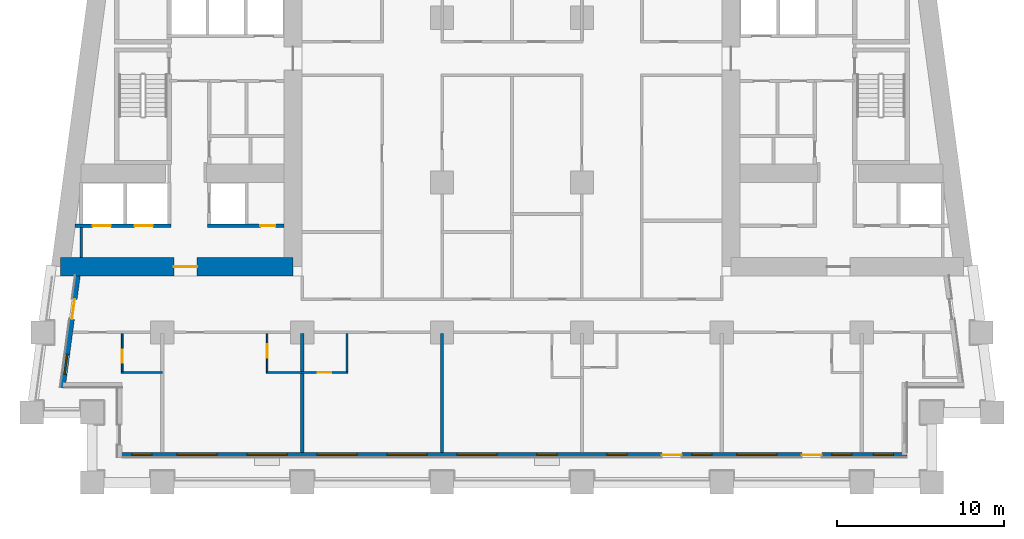
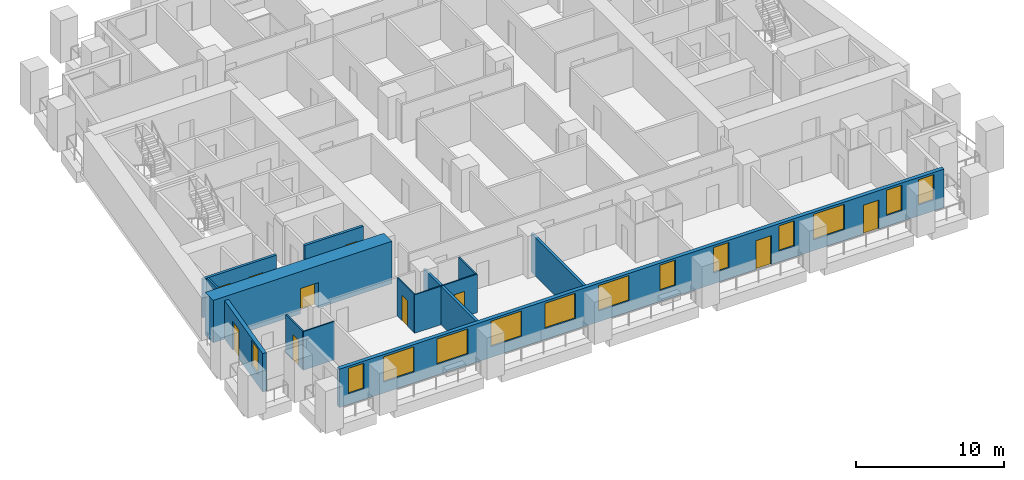
# One storey, part 2 of 13: 13 walls, 13 windows, 10 doors, 23 openings.
"""IFC4 building model written with IfcOpenShell, lengths in metres."""

from ifc_helpers import new_model, si_unit, direction, frame, frame_2d, origin, place, context, subcontext, project, spatial, rectangle, extrude, material, layer, layer_set, type_object, element, fill, save


model = new_model("IFC4")

# Units and contexts
model_context = context("Model", 3, precision=1e-05, world=origin(), true_north=direction((0.0, 1.0)))
body_context = subcontext(model_context, "Body", "Model", "MODEL_VIEW")
ifc_project = project(units=[si_unit("LENGTHUNIT", "METRE"), si_unit("AREAUNIT", "SQUARE_METRE"), si_unit("VOLUMEUNIT", "CUBIC_METRE"), si_unit("PLANEANGLEUNIT", "RADIAN"), si_unit("MASSUNIT", "GRAM", prefix="KILO")], contexts=[model_context])

# Site, building, storey
site_placement = place(None, origin())
site = spatial("IfcSite", under=ifc_project, at=site_placement, CompositionType="ELEMENT")
building_placement = place(site_placement, origin())
building = spatial("IfcBuilding", under=site, at=building_placement, Name="Candeia Pilgrim Tower and Theatre", CompositionType="ELEMENT")
storey_placement = place(building_placement, frame((0.0, 0.0, 63.5)))
storey = spatial("IfcBuildingStorey", under=building, at=storey_placement, Name="L13", CompositionType="ELEMENT", Elevation=63.5)

# Wall, opening, door
ifc_material_1 = material(Name="Concrete C80/95", Category="concrete")
ifc_layer_1 = layer(ifc_material_1, 1.10009765625)
ifc_layer_set_1 = layer_set([ifc_layer_1], Name="Core wall 1100 C80/95")
wall_type_1 = type_object("IfcWallType", Name="Core wall 1100 C80/95", PredefinedType="SHEAR", material=ifc_layer_set_1)
wall_1_placement = place(storey_placement, frame((100.25, 110.949951171875, 0.0), z_axis=(0.0, 0.0, 1.0), x_axis=(-1.0, 0.0, 0.0)))
wall_1 = element("IfcWall", 1, at=wall_1_placement, inside=storey, type_object=wall_type_1, Name="Core wall W3", PredefinedType="SHEAR", context=body_context, shape_type="SweptSolid", body=[
    extrude(rectangle(XDim=13.95166015625, YDim=1.10009765625, at=frame_2d((6.975830078125, 0.0))), origin(), (0.0, 0.0, 1.0), 3.5),
])
opening_1_placement = place(wall_1_placement, frame((5.74755859375, 0.0, 0.0)))
opening_1 = element("IfcOpeningElement", 2, at=opening_1_placement, cuts=wall_1, Name="Opening L13-D059", PredefinedType="OPENING", context=body_context, shape_type="SweptSolid", body=[
    extrude(rectangle(XDim=1.39990234375, YDim=2.10009765625, at=frame_2d((0.699951171875, 1.050048828125))), frame((0.0, 0.56005859375, 0.0), z_axis=(0.0, -1.0, 0.0), x_axis=(1.0, 0.0, 0.0)), (0.0, 0.0, 1.0), 1.1201171875),
])
ifc_material_2 = material(Name="Steel fire door set", Category="steel")
door_type_1 = type_object("IfcDoorType", Name="D-1400-FD60", OperationType="NOTDEFINED", PredefinedType="DOOR", material=ifc_material_2)
door_1_placement = place(opening_1_placement, origin())
door_1 = element("IfcDoor", 3, at=door_1_placement, inside=storey, type_object=door_type_1, Name="Door L13-D059", OperationType="SINGLE_SWING_RIGHT", OverallHeight=2.10009765625, OverallWidth=1.39990234375, PredefinedType="DOOR", context=body_context, shape_type="SweptSolid", body=[
    extrude(rectangle(XDim=1.39990234375, YDim=2.10009765625, at=frame_2d((0.699951171875, 1.050048828125))), frame((0.0, 0.02490234375, 0.0), z_axis=(0.0, -1.0, 0.0), x_axis=(1.0, 0.0, 0.0)), (0.0, 0.0, 1.0), 0.050048828125),
])
fill(opening_1, door_1)

# Wall, openings, doors, windows
ifc_material_3 = material(Name="Ceramic block masonry", Category="masonry")
ifc_layer_2 = layer(ifc_material_3, 0.300048828125)
ifc_layer_set_2 = layer_set([ifc_layer_2], Name="EW1 glazing-line wall 300")
wall_type_2 = type_object("IfcWallType", Name="EW1 glazing-line wall 300", PredefinedType="SOLIDWALL", material=ifc_layer_set_2)
wall_2_placement = place(storey_placement, frame((89.85009765625, 99.64990234375, 0.0), z_axis=(0.0, 0.0, 1.0), x_axis=(1.0, 0.0, 0.0)))
wall_2 = element("IfcWall", 4, at=wall_2_placement, inside=storey, type_object=wall_type_2, Name="External wall L13-0.0", PredefinedType="SOLIDWALL", context=body_context, shape_type="SweptSolid", body=[
    extrude(rectangle(XDim=47.25, YDim=0.300048828125, at=frame_2d((23.625, 0.0))), origin(), (0.0, 0.0, 1.0), 3.179931640625),
])
opening_2_placement = place(wall_2_placement, frame((0.72509765625, 0.0, 0.89990234375)))
opening_2 = element("IfcOpeningElement", 5, at=opening_2_placement, cuts=wall_2, Name="Opening W-B", PredefinedType="OPENING", context=body_context, shape_type="SweptSolid", body=[
    extrude(rectangle(XDim=1.199951171875, YDim=2.10009765625, at=frame_2d((0.60009765625, 1.050048828125))), frame((0.0, 0.16015625, 0.0), z_axis=(0.0, -1.0, 0.0), x_axis=(1.0, 0.0, 0.0)), (0.0, 0.0, 1.0), 0.320068359375),
])
opening_3_placement = place(wall_2_placement, frame((3.449951171875, 0.0, 0.89990234375)))
opening_3 = element("IfcOpeningElement", 6, at=opening_3_placement, cuts=wall_2, Name="Opening W-A", PredefinedType="OPENING", context=body_context, shape_type="SweptSolid", body=[
    extrude(rectangle(XDim=2.39990234375, YDim=2.10009765625, at=frame_2d((1.199951171875, 1.050048828125))), frame((0.0, 0.16015625, 0.0), z_axis=(0.0, -1.0, 0.0), x_axis=(1.0, 0.0, 0.0)), (0.0, 0.0, 1.0), 0.320068359375),
])
opening_4_placement = place(wall_2_placement, frame((7.64990234375, 0.0, 0.89990234375)))
opening_4 = element("IfcOpeningElement", 7, at=opening_4_placement, cuts=wall_2, Name="Opening W-A", PredefinedType="OPENING", context=body_context, shape_type="SweptSolid", body=[
    extrude(rectangle(XDim=2.39990234375, YDim=2.10009765625, at=frame_2d((1.199951171875, 1.050048828125))), frame((0.0, 0.16015625, 0.0), z_axis=(0.0, -1.0, 0.0), x_axis=(1.0, 0.0, 0.0)), (0.0, 0.0, 1.0), 0.320068359375),
])
opening_5_placement = place(wall_2_placement, frame((11.85009765625, 0.0, 0.89990234375)))
opening_5 = element("IfcOpeningElement", 8, at=opening_5_placement, cuts=wall_2, Name="Opening W-A", PredefinedType="OPENING", context=body_context, shape_type="SweptSolid", body=[
    extrude(rectangle(XDim=2.39990234375, YDim=2.10009765625, at=frame_2d((1.199951171875, 1.050048828125))), frame((0.0, 0.16015625, 0.0), z_axis=(0.0, -1.0, 0.0), x_axis=(1.0, 0.0, 0.0)), (0.0, 0.0, 1.0), 0.320068359375),
])
opening_6_placement = place(wall_2_placement, frame((16.050048828125, 0.0, 0.89990234375)))
opening_6 = element("IfcOpeningElement", 9, at=opening_6_placement, cuts=wall_2, Name="Opening W-A", PredefinedType="OPENING", context=body_context, shape_type="SweptSolid", body=[
    extrude(rectangle(XDim=2.39990234375, YDim=2.10009765625, at=frame_2d((1.199951171875, 1.050048828125))), frame((0.0, 0.16015625, 0.0), z_axis=(0.0, -1.0, 0.0), x_axis=(1.0, 0.0, 0.0)), (0.0, 0.0, 1.0), 0.320068359375),
])
opening_7_placement = place(wall_2_placement, frame((20.25, 0.0, 0.89990234375)))
opening_7 = element("IfcOpeningElement", 10, at=opening_7_placement, cuts=wall_2, Name="Opening W-A", PredefinedType="OPENING", context=body_context, shape_type="SweptSolid", body=[
    extrude(rectangle(XDim=2.39990234375, YDim=2.10009765625, at=frame_2d((1.199951171875, 1.050048828125))), frame((0.0, 0.16015625, 0.0), z_axis=(0.0, -1.0, 0.0), x_axis=(1.0, 0.0, 0.0)), (0.0, 0.0, 1.0), 0.320068359375),
])
opening_8_placement = place(wall_2_placement, frame((25.050048828125, 0.0, 0.89990234375)))
opening_8 = element("IfcOpeningElement", 11, at=opening_8_placement, cuts=wall_2, Name="Opening W-B", PredefinedType="OPENING", context=body_context, shape_type="SweptSolid", body=[
    extrude(rectangle(XDim=1.199951171875, YDim=2.10009765625, at=frame_2d((0.60009765625, 1.050048828125))), frame((0.0, 0.16015625, 0.0), z_axis=(0.0, -1.0, 0.0), x_axis=(1.0, 0.0, 0.0)), (0.0, 0.0, 1.0), 0.320068359375),
])
opening_9_placement = place(wall_2_placement, frame((29.25, 0.0, 0.89990234375)))
opening_9 = element("IfcOpeningElement", 12, at=opening_9_placement, cuts=wall_2, Name="Opening W-B", PredefinedType="OPENING", context=body_context, shape_type="SweptSolid", body=[
    extrude(rectangle(XDim=1.199951171875, YDim=2.10009765625, at=frame_2d((0.60009765625, 1.050048828125))), frame((0.0, 0.16015625, 0.0), z_axis=(0.0, -1.0, 0.0), x_axis=(1.0, 0.0, 0.0)), (0.0, 0.0, 1.0), 0.320068359375),
])
opening_10_placement = place(wall_2_placement, frame((32.550048828125, 0.0, 0.0)))
opening_10 = element("IfcOpeningElement", 13, at=opening_10_placement, cuts=wall_2, Name="Opening L13-ED147", PredefinedType="OPENING", context=body_context, shape_type="SweptSolid", body=[
    extrude(rectangle(XDim=1.199951171875, YDim=2.39990234375, at=frame_2d((0.60009765625, 1.199951171875))), frame((0.0, 0.16015625, 0.0), z_axis=(0.0, -1.0, 0.0), x_axis=(1.0, 0.0, 0.0)), (0.0, 0.0, 1.0), 0.320068359375),
])
opening_11_placement = place(wall_2_placement, frame((34.35009765625, 0.0, 0.89990234375)))
opening_11 = element("IfcOpeningElement", 14, at=opening_11_placement, cuts=wall_2, Name="Opening W-B", PredefinedType="OPENING", context=body_context, shape_type="SweptSolid", body=[
    extrude(rectangle(XDim=1.199951171875, YDim=2.10009765625, at=frame_2d((0.60009765625, 1.050048828125))), frame((0.0, 0.16015625, 0.0), z_axis=(0.0, -1.0, 0.0), x_axis=(1.0, 0.0, 0.0)), (0.0, 0.0, 1.0), 0.320068359375),
])
opening_12_placement = place(wall_2_placement, frame((37.050048828125, 0.0, 0.89990234375)))
opening_12 = element("IfcOpeningElement", 15, at=opening_12_placement, cuts=wall_2, Name="Opening W-A", PredefinedType="OPENING", context=body_context, shape_type="SweptSolid", body=[
    extrude(rectangle(XDim=2.39990234375, YDim=2.10009765625, at=frame_2d((1.199951171875, 1.050048828125))), frame((0.0, 0.16015625, 0.0), z_axis=(0.0, -1.0, 0.0), x_axis=(1.0, 0.0, 0.0)), (0.0, 0.0, 1.0), 0.320068359375),
])
opening_13_placement = place(wall_2_placement, frame((40.949951171875, 0.0, 0.0)))
opening_13 = element("IfcOpeningElement", 16, at=opening_13_placement, cuts=wall_2, Name="Opening L13-ED148", PredefinedType="OPENING", context=body_context, shape_type="SweptSolid", body=[
    extrude(rectangle(XDim=1.199951171875, YDim=2.39990234375, at=frame_2d((0.60009765625, 1.199951171875))), frame((0.0, 0.16015625, 0.0), z_axis=(0.0, -1.0, 0.0), x_axis=(1.0, 0.0, 0.0)), (0.0, 0.0, 1.0), 0.320068359375),
])
opening_14_placement = place(wall_2_placement, frame((42.75, 0.0, 0.89990234375)))
opening_14 = element("IfcOpeningElement", 17, at=opening_14_placement, cuts=wall_2, Name="Opening W-B", PredefinedType="OPENING", context=body_context, shape_type="SweptSolid", body=[
    extrude(rectangle(XDim=1.199951171875, YDim=2.10009765625, at=frame_2d((0.60009765625, 1.050048828125))), frame((0.0, 0.16015625, 0.0), z_axis=(0.0, -1.0, 0.0), x_axis=(1.0, 0.0, 0.0)), (0.0, 0.0, 1.0), 0.320068359375),
])
opening_15_placement = place(wall_2_placement, frame((45.25, 0.0, 0.89990234375)))
opening_15 = element("IfcOpeningElement", 18, at=opening_15_placement, cuts=wall_2, Name="Opening W-B", PredefinedType="OPENING", context=body_context, shape_type="SweptSolid", body=[
    extrude(rectangle(XDim=1.199951171875, YDim=2.10009765625, at=frame_2d((0.60009765625, 1.050048828125))), frame((0.0, 0.16015625, 0.0), z_axis=(0.0, -1.0, 0.0), x_axis=(1.0, 0.0, 0.0)), (0.0, 0.0, 1.0), 0.320068359375),
])
ifc_material_4 = material(Name="Aluminium framed glazed door", Category="aluminium")
door_type_2 = type_object("IfcDoorType", Name="Loggia door 1200x2400", OperationType="DOUBLE_DOOR_SINGLE_SWING", PredefinedType="DOOR", material=ifc_material_4)
door_2_placement = place(opening_10_placement, origin())
door_2 = element("IfcDoor", 19, at=door_2_placement, inside=storey, type_object=door_type_2, Name="Loggia door L13-ED147", OperationType="DOUBLE_DOOR_SINGLE_SWING", OverallHeight=2.39990234375, OverallWidth=1.199951171875, PredefinedType="DOOR", context=body_context, shape_type="SweptSolid", body=[
    extrude(rectangle(XDim=1.199951171875, YDim=2.39990234375, at=frame_2d((0.60009765625, 1.199951171875))), frame((0.0, 0.02490234375, 0.0), z_axis=(0.0, -1.0, 0.0), x_axis=(1.0, 0.0, 0.0)), (0.0, 0.0, 1.0), 0.050048828125),
])
fill(opening_10, door_2)
door_3_placement = place(opening_13_placement, origin())
door_3 = element("IfcDoor", 20, at=door_3_placement, inside=storey, type_object=door_type_2, Name="Loggia door L13-ED148", OperationType="DOUBLE_DOOR_SINGLE_SWING", OverallHeight=2.39990234375, OverallWidth=1.199951171875, PredefinedType="DOOR", context=body_context, shape_type="SweptSolid", body=[
    extrude(rectangle(XDim=1.199951171875, YDim=2.39990234375, at=frame_2d((0.60009765625, 1.199951171875))), frame((0.0, 0.02490234375, 0.0), z_axis=(0.0, -1.0, 0.0), x_axis=(1.0, 0.0, 0.0)), (0.0, 0.0, 1.0), 0.050048828125),
])
fill(opening_13, door_3)
ifc_material_5 = material(Name="Aluminium framed double glazing", Category="aluminium")
window_type_1 = type_object("IfcWindowType", Name="W-A window 2400x2100", PartitioningType="DOUBLE_PANEL_VERTICAL", PredefinedType="WINDOW", material=ifc_material_5)
window_1_placement = place(opening_3_placement, origin())
window_1 = element("IfcWindow", 21, at=window_1_placement, inside=storey, type_object=window_type_1, Name="Window W-A L13", OverallHeight=2.10009765625, OverallWidth=2.39990234375, PartitioningType="SINGLE_PANEL", PredefinedType="WINDOW", context=body_context, shape_type="SweptSolid", body=[
    extrude(rectangle(XDim=2.39990234375, YDim=2.10009765625, at=frame_2d((1.199951171875, 1.050048828125))), frame((0.0, 0.030029296875, 0.0), z_axis=(0.0, -1.0, 0.0), x_axis=(1.0, 0.0, 0.0)), (0.0, 0.0, 1.0), 0.06005859375),
])
fill(opening_3, window_1)
window_2_placement = place(opening_4_placement, origin())
window_2 = element("IfcWindow", 22, at=window_2_placement, inside=storey, type_object=window_type_1, Name="Window W-A L13", OverallHeight=2.10009765625, OverallWidth=2.39990234375, PartitioningType="SINGLE_PANEL", PredefinedType="WINDOW", context=body_context, shape_type="SweptSolid", body=[
    extrude(rectangle(XDim=2.39990234375, YDim=2.10009765625, at=frame_2d((1.199951171875, 1.050048828125))), frame((0.0, 0.030029296875, 0.0), z_axis=(0.0, -1.0, 0.0), x_axis=(1.0, 0.0, 0.0)), (0.0, 0.0, 1.0), 0.06005859375),
])
fill(opening_4, window_2)
window_3_placement = place(opening_5_placement, origin())
window_3 = element("IfcWindow", 23, at=window_3_placement, inside=storey, type_object=window_type_1, Name="Window W-A L13", OverallHeight=2.10009765625, OverallWidth=2.39990234375, PartitioningType="SINGLE_PANEL", PredefinedType="WINDOW", context=body_context, shape_type="SweptSolid", body=[
    extrude(rectangle(XDim=2.39990234375, YDim=2.10009765625, at=frame_2d((1.199951171875, 1.050048828125))), frame((0.0, 0.030029296875, 0.0), z_axis=(0.0, -1.0, 0.0), x_axis=(1.0, 0.0, 0.0)), (0.0, 0.0, 1.0), 0.06005859375),
])
fill(opening_5, window_3)
window_4_placement = place(opening_6_placement, origin())
window_4 = element("IfcWindow", 24, at=window_4_placement, inside=storey, type_object=window_type_1, Name="Window W-A L13", OverallHeight=2.10009765625, OverallWidth=2.39990234375, PartitioningType="SINGLE_PANEL", PredefinedType="WINDOW", context=body_context, shape_type="SweptSolid", body=[
    extrude(rectangle(XDim=2.39990234375, YDim=2.10009765625, at=frame_2d((1.199951171875, 1.050048828125))), frame((0.0, 0.030029296875, 0.0), z_axis=(0.0, -1.0, 0.0), x_axis=(1.0, 0.0, 0.0)), (0.0, 0.0, 1.0), 0.06005859375),
])
fill(opening_6, window_4)
window_5_placement = place(opening_7_placement, origin())
window_5 = element("IfcWindow", 25, at=window_5_placement, inside=storey, type_object=window_type_1, Name="Window W-A L13", OverallHeight=2.10009765625, OverallWidth=2.39990234375, PartitioningType="SINGLE_PANEL", PredefinedType="WINDOW", context=body_context, shape_type="SweptSolid", body=[
    extrude(rectangle(XDim=2.39990234375, YDim=2.10009765625, at=frame_2d((1.199951171875, 1.050048828125))), frame((0.0, 0.030029296875, 0.0), z_axis=(0.0, -1.0, 0.0), x_axis=(1.0, 0.0, 0.0)), (0.0, 0.0, 1.0), 0.06005859375),
])
fill(opening_7, window_5)
window_6_placement = place(opening_12_placement, origin())
window_6 = element("IfcWindow", 26, at=window_6_placement, inside=storey, type_object=window_type_1, Name="Window W-A L13", OverallHeight=2.10009765625, OverallWidth=2.39990234375, PartitioningType="SINGLE_PANEL", PredefinedType="WINDOW", context=body_context, shape_type="SweptSolid", body=[
    extrude(rectangle(XDim=2.39990234375, YDim=2.10009765625, at=frame_2d((1.199951171875, 1.050048828125))), frame((0.0, 0.030029296875, 0.0), z_axis=(0.0, -1.0, 0.0), x_axis=(1.0, 0.0, 0.0)), (0.0, 0.0, 1.0), 0.06005859375),
])
fill(opening_12, window_6)
window_type_2 = type_object("IfcWindowType", Name="W-B window 1200x2100", PartitioningType="SINGLE_PANEL", PredefinedType="WINDOW", material=ifc_material_5)
window_7_placement = place(opening_2_placement, origin())
window_7 = element("IfcWindow", 27, at=window_7_placement, inside=storey, type_object=window_type_2, Name="Window W-B L13", OverallHeight=2.10009765625, OverallWidth=1.199951171875, PartitioningType="SINGLE_PANEL", PredefinedType="WINDOW", context=body_context, shape_type="SweptSolid", body=[
    extrude(rectangle(XDim=1.199951171875, YDim=2.10009765625, at=frame_2d((0.60009765625, 1.050048828125))), frame((0.0, 0.030029296875, 0.0), z_axis=(0.0, -1.0, 0.0), x_axis=(1.0, 0.0, 0.0)), (0.0, 0.0, 1.0), 0.06005859375),
])
fill(opening_2, window_7)
window_8_placement = place(opening_8_placement, origin())
window_8 = element("IfcWindow", 28, at=window_8_placement, inside=storey, type_object=window_type_2, Name="Window W-B L13", OverallHeight=2.10009765625, OverallWidth=1.199951171875, PartitioningType="SINGLE_PANEL", PredefinedType="WINDOW", context=body_context, shape_type="SweptSolid", body=[
    extrude(rectangle(XDim=1.199951171875, YDim=2.10009765625, at=frame_2d((0.60009765625, 1.050048828125))), frame((0.0, 0.030029296875, 0.0), z_axis=(0.0, -1.0, 0.0), x_axis=(1.0, 0.0, 0.0)), (0.0, 0.0, 1.0), 0.06005859375),
])
fill(opening_8, window_8)
window_9_placement = place(opening_9_placement, origin())
window_9 = element("IfcWindow", 29, at=window_9_placement, inside=storey, type_object=window_type_2, Name="Window W-B L13", OverallHeight=2.10009765625, OverallWidth=1.199951171875, PartitioningType="SINGLE_PANEL", PredefinedType="WINDOW", context=body_context, shape_type="SweptSolid", body=[
    extrude(rectangle(XDim=1.199951171875, YDim=2.10009765625, at=frame_2d((0.60009765625, 1.050048828125))), frame((0.0, 0.030029296875, 0.0), z_axis=(0.0, -1.0, 0.0), x_axis=(1.0, 0.0, 0.0)), (0.0, 0.0, 1.0), 0.06005859375),
])
fill(opening_9, window_9)
window_10_placement = place(opening_11_placement, origin())
window_10 = element("IfcWindow", 30, at=window_10_placement, inside=storey, type_object=window_type_2, Name="Window W-B L13", OverallHeight=2.10009765625, OverallWidth=1.199951171875, PartitioningType="SINGLE_PANEL", PredefinedType="WINDOW", context=body_context, shape_type="SweptSolid", body=[
    extrude(rectangle(XDim=1.199951171875, YDim=2.10009765625, at=frame_2d((0.60009765625, 1.050048828125))), frame((0.0, 0.030029296875, 0.0), z_axis=(0.0, -1.0, 0.0), x_axis=(1.0, 0.0, 0.0)), (0.0, 0.0, 1.0), 0.06005859375),
])
fill(opening_11, window_10)
window_11_placement = place(opening_14_placement, origin())
window_11 = element("IfcWindow", 31, at=window_11_placement, inside=storey, type_object=window_type_2, Name="Window W-B L13", OverallHeight=2.10009765625, OverallWidth=1.199951171875, PartitioningType="SINGLE_PANEL", PredefinedType="WINDOW", context=body_context, shape_type="SweptSolid", body=[
    extrude(rectangle(XDim=1.199951171875, YDim=2.10009765625, at=frame_2d((0.60009765625, 1.050048828125))), frame((0.0, 0.030029296875, 0.0), z_axis=(0.0, -1.0, 0.0), x_axis=(1.0, 0.0, 0.0)), (0.0, 0.0, 1.0), 0.06005859375),
])
fill(opening_14, window_11)
window_12_placement = place(opening_15_placement, origin())
window_12 = element("IfcWindow", 32, at=window_12_placement, inside=storey, type_object=window_type_2, Name="Window W-B L13", OverallHeight=2.10009765625, OverallWidth=1.199951171875, PartitioningType="SINGLE_PANEL", PredefinedType="WINDOW", context=body_context, shape_type="SweptSolid", body=[
    extrude(rectangle(XDim=1.199951171875, YDim=2.10009765625, at=frame_2d((0.60009765625, 1.050048828125))), frame((0.0, 0.030029296875, 0.0), z_axis=(0.0, -1.0, 0.0), x_axis=(1.0, 0.0, 0.0)), (0.0, 0.0, 1.0), 0.06005859375),
])
fill(opening_15, window_12)

# Wall, openings, door, window
wall_3_placement = place(storey_placement, frame((87.334228515625, 110.39990234375, 0.0), z_axis=(0.0, 0.0, 1.0), x_axis=(-0.133437175554, -0.991057273915, 0.0)))
wall_3 = element("IfcWall", 33, at=wall_3_placement, inside=storey, type_object=wall_type_2, Name="External wall L13-9.1", PredefinedType="SOLIDWALL", context=body_context, shape_type="SweptSolid", body=[
    extrude(rectangle(XDim=6.780517578125, YDim=0.300048828125, at=frame_2d((3.39013671875, 0.0))), origin(), (0.0, 0.0, 1.0), 3.179931640625),
])
opening_16_placement = place(wall_3_placement, frame((1.41796875, 0.0, 0.0)))
opening_16 = element("IfcOpeningElement", 34, at=opening_16_placement, cuts=wall_3, Name="Opening L13-ED155", PredefinedType="OPENING", context=body_context, shape_type="SweptSolid", body=[
    extrude(rectangle(XDim=1.199951171875, YDim=2.39990234375, at=frame_2d((0.60009765625, 1.199951171875))), frame((0.0, 0.16015625, 0.0), z_axis=(0.0, -1.0, 0.0), x_axis=(1.0, 0.0, 0.0)), (0.0, 0.0, 1.0), 0.320068359375),
])
opening_17_placement = place(wall_3_placement, frame((4.75830078125, 0.0, 0.89990234375)))
opening_17 = element("IfcOpeningElement", 35, at=opening_17_placement, cuts=wall_3, Name="Opening W-B", PredefinedType="OPENING", context=body_context, shape_type="SweptSolid", body=[
    extrude(rectangle(XDim=1.199951171875, YDim=2.10009765625, at=frame_2d((0.60009765625, 1.050048828125))), frame((0.0, 0.16015625, 0.0), z_axis=(0.0, -1.0, 0.0), x_axis=(1.0, 0.0, 0.0)), (0.0, 0.0, 1.0), 0.320068359375),
])
door_4_placement = place(opening_16_placement, origin())
door_4 = element("IfcDoor", 36, at=door_4_placement, inside=storey, type_object=door_type_2, Name="Loggia door L13-ED155", OperationType="DOUBLE_DOOR_SINGLE_SWING", OverallHeight=2.39990234375, OverallWidth=1.199951171875, PredefinedType="DOOR", context=body_context, shape_type="SweptSolid", body=[
    extrude(rectangle(XDim=1.199951171875, YDim=2.39990234375, at=frame_2d((0.60009765625, 1.199951171875))), frame((0.0, 0.02490234375, 0.0), z_axis=(0.0, -1.0, 0.0), x_axis=(1.0, 0.0, 0.0)), (0.0, 0.0, 1.0), 0.050048828125),
])
fill(opening_16, door_4)
window_13_placement = place(opening_17_placement, origin())
window_13 = element("IfcWindow", 37, at=window_13_placement, inside=storey, type_object=window_type_2, Name="Window W-B L13", OverallHeight=2.10009765625, OverallWidth=1.199951171875, PartitioningType="SINGLE_PANEL", PredefinedType="WINDOW", context=body_context, shape_type="SweptSolid", body=[
    extrude(rectangle(XDim=1.199951171875, YDim=2.10009765625, at=frame_2d((0.60009765625, 1.050048828125))), frame((0.0, 0.030029296875, 0.0), z_axis=(0.0, -1.0, 0.0), x_axis=(1.0, 0.0, 0.0)), (0.0, 0.0, 1.0), 0.06005859375),
])
fill(opening_17, window_13)

# Wall
ifc_material_6 = material(Name="Gypsum board partition on steel studs", Category="steel")
ifc_layer_3 = layer(ifc_material_6, 0.10009765625)
ifc_layer_set_3 = layer_set([ifc_layer_3], Name="PW-100 room partition")
wall_type_3 = type_object("IfcWallType", Name="PW-100 room partition", PredefinedType="PARTITIONING", material=ifc_layer_set_3)
wall_4_placement = place(storey_placement, frame((89.949951171875, 104.60009765625, 0.0), z_axis=(0.0, 0.0, 1.0), x_axis=(1.0, 0.0, 0.0)))
element("IfcWall", 38, at=wall_4_placement, inside=storey, type_object=wall_type_3, Name="Room partition L13-003", PredefinedType="PARTITIONING", context=body_context, shape_type="SweptSolid", body=[
    extrude(rectangle(XDim=2.449951171875, YDim=0.10009765625, at=frame_2d((1.22509765625, 0.0))), origin(), (0.0, 0.0, 1.0), 3.179931640625),
])

# Wall, opening, door
wall_5_placement = place(storey_placement, frame((98.64990234375, 104.60009765625, 0.0), z_axis=(0.0, 0.0, 1.0), x_axis=(1.0, 0.0, 0.0)))
wall_5 = element("IfcWall", 39, at=wall_5_placement, inside=storey, type_object=wall_type_3, Name="Room partition L13-004", PredefinedType="PARTITIONING", context=body_context, shape_type="SweptSolid", body=[
    extrude(rectangle(XDim=4.900146484375, YDim=0.10009765625, at=frame_2d((2.4501953125, 0.0))), origin(), (0.0, 0.0, 1.0), 3.179931640625),
])
opening_18_placement = place(wall_5_placement, frame((3.10009765625, 0.0, 0.0)))
opening_18 = element("IfcOpeningElement", 40, at=opening_18_placement, cuts=wall_5, Name="Opening L13-D021", PredefinedType="OPENING", context=body_context, shape_type="SweptSolid", body=[
    extrude(rectangle(XDim=0.800048828125, YDim=2.10009765625, at=frame_2d((0.39990234375, 1.050048828125))), frame((0.0, 0.06005859375, 0.0), z_axis=(0.0, -1.0, 0.0), x_axis=(1.0, 0.0, 0.0)), (0.0, 0.0, 1.0), 0.1201171875),
])
ifc_material_7 = material(Name="Timber door leaf", Category="wood")
door_type_3 = type_object("IfcDoorType", Name="D-800", OperationType="NOTDEFINED", PredefinedType="DOOR", material=ifc_material_7)
door_5_placement = place(opening_18_placement, origin())
door_5 = element("IfcDoor", 41, at=door_5_placement, inside=storey, type_object=door_type_3, Name="Door L13-D021", OperationType="SINGLE_SWING_RIGHT", OverallHeight=2.10009765625, OverallWidth=0.800048828125, PredefinedType="DOOR", context=body_context, shape_type="SweptSolid", body=[
    extrude(rectangle(XDim=0.800048828125, YDim=2.10009765625, at=frame_2d((0.39990234375, 1.050048828125))), frame((0.0, 0.02490234375, 0.0), z_axis=(0.0, -1.0, 0.0), x_axis=(1.0, 0.0, 0.0)), (0.0, 0.0, 1.0), 0.050048828125),
])
fill(opening_18, door_5)

wall_6_placement = place(storey_placement, frame((90.0, 104.64990234375, 0.0), z_axis=(0.0, 0.0, 1.0), x_axis=(0.0, 1.0, 0.0)))
wall_6 = element("IfcWall", 42, at=wall_6_placement, inside=storey, type_object=wall_type_3, Name="Room partition L13-058", PredefinedType="PARTITIONING", context=body_context, shape_type="SweptSolid", body=[
    extrude(rectangle(XDim=2.275146484375, YDim=0.10009765625, at=frame_2d((1.1376953125, 0.0))), origin(), (0.0, 0.0, 1.0), 3.179931640625),
])
opening_19_placement = place(wall_6_placement, frame((0.52490234375, 0.0, 0.0)))
opening_19 = element("IfcOpeningElement", 43, at=opening_19_placement, cuts=wall_6, Name="Opening L13-D017", PredefinedType="OPENING", context=body_context, shape_type="SweptSolid", body=[
    extrude(rectangle(XDim=0.800048828125, YDim=2.10009765625, at=frame_2d((0.39990234375, 1.050048828125))), frame((0.0, 0.06005859375, 0.0), z_axis=(0.0, -1.0, 0.0), x_axis=(1.0, 0.0, 0.0)), (0.0, 0.0, 1.0), 0.1201171875),
])
door_6_placement = place(opening_19_placement, origin())
door_6 = element("IfcDoor", 44, at=door_6_placement, inside=storey, type_object=door_type_3, Name="Door L13-D017", OperationType="SINGLE_SWING_RIGHT", OverallHeight=2.10009765625, OverallWidth=0.800048828125, PredefinedType="DOOR", context=body_context, shape_type="SweptSolid", body=[
    extrude(rectangle(XDim=0.800048828125, YDim=2.10009765625, at=frame_2d((0.39990234375, 1.050048828125))), frame((0.0, 0.02490234375, 0.0), z_axis=(0.0, -1.0, 0.0), x_axis=(1.0, 0.0, 0.0)), (0.0, 0.0, 1.0), 0.050048828125),
])
fill(opening_19, door_6)

wall_7_placement = place(storey_placement, frame((98.699951171875, 104.64990234375, 0.0), z_axis=(0.0, 0.0, 1.0), x_axis=(0.0, 1.0, 0.0)))
wall_7 = element("IfcWall", 45, at=wall_7_placement, inside=storey, type_object=wall_type_3, Name="Room partition L13-076", PredefinedType="PARTITIONING", context=body_context, shape_type="SweptSolid", body=[
    extrude(rectangle(XDim=2.275146484375, YDim=0.10009765625, at=frame_2d((1.1376953125, 0.0))), origin(), (0.0, 0.0, 1.0), 3.179931640625),
])
opening_20_placement = place(wall_7_placement, frame((0.840087890625, 0.0, 0.0)))
opening_20 = element("IfcOpeningElement", 46, at=opening_20_placement, cuts=wall_7, Name="Opening L13-D019", PredefinedType="OPENING", context=body_context, shape_type="SweptSolid", body=[
    extrude(rectangle(XDim=0.800048828125, YDim=2.10009765625, at=frame_2d((0.39990234375, 1.050048828125))), frame((0.0, 0.06005859375, 0.0), z_axis=(0.0, -1.0, 0.0), x_axis=(1.0, 0.0, 0.0)), (0.0, 0.0, 1.0), 0.1201171875),
])
door_7_placement = place(opening_20_placement, origin())
door_7 = element("IfcDoor", 47, at=door_7_placement, inside=storey, type_object=door_type_3, Name="Door L13-D019", OperationType="SINGLE_SWING_RIGHT", OverallHeight=2.10009765625, OverallWidth=0.800048828125, PredefinedType="DOOR", context=body_context, shape_type="SweptSolid", body=[
    extrude(rectangle(XDim=0.800048828125, YDim=2.10009765625, at=frame_2d((0.39990234375, 1.050048828125))), frame((0.0, 0.02490234375, 0.0), z_axis=(0.0, -1.0, 0.0), x_axis=(1.0, 0.0, 0.0)), (0.0, 0.0, 1.0), 0.050048828125),
])
fill(opening_20, door_7)

# Walls
wall_8_placement = place(storey_placement, frame((103.5, 104.64990234375, 0.0), z_axis=(0.0, 0.0, 1.0), x_axis=(0.0, 1.0, 0.0)))
element("IfcWall", 48, at=wall_8_placement, inside=storey, type_object=wall_type_3, Name="Room partition L13-081", PredefinedType="PARTITIONING", context=body_context, shape_type="SweptSolid", body=[
    extrude(rectangle(XDim=2.275146484375, YDim=0.10009765625, at=frame_2d((1.1376953125, 0.0))), origin(), (0.0, 0.0, 1.0), 3.179931640625),
])
ifc_layer_4 = layer(ifc_material_6, 0.14990234375)
ifc_layer_set_4 = layer_set([ifc_layer_4], Name="PW-150 lobby wall")
wall_type_4 = type_object("IfcWallType", Name="PW-150 lobby wall", PredefinedType="PARTITIONING", material=ifc_layer_set_4)
wall_9_placement = place(storey_placement, frame((87.530029296875, 111.5, 0.0), z_axis=(0.0, 0.0, 1.0), x_axis=(0.0, 1.0, 0.0)))
element("IfcWall", 49, at=wall_9_placement, inside=storey, type_object=wall_type_4, Name="Lobby wall L13-055", PredefinedType="PARTITIONING", context=body_context, shape_type="SweptSolid", body=[
    extrude(rectangle(XDim=1.800048828125, YDim=0.14990234375, at=frame_2d((0.89990234375, 0.0))), origin(), (0.0, 0.0, 1.0), 3.179931640625),
])
ifc_layer_5 = layer(ifc_material_6, 0.199951171875)
ifc_layer_set_5 = layer_set([ifc_layer_5], Name="PW-200 party wall")
wall_type_5 = type_object("IfcWallType", Name="PW-200 party wall", PredefinedType="PARTITIONING", material=ifc_layer_set_5)
for number, where, z_axis, x_axis, name in (
    (50, (100.800048828125, 99.7900390625, 0.0), (0.0, 0.0, 1.0), (0.0, 1.0, 0.0), "Party wall L13-077"),
    (51, (109.199951171875, 99.7900390625, 0.0), (0.0, 0.0, 1.0), (0.0, 1.0, 0.0), "Party wall L13-086"),
):
    element("IfcWall", number, at=place(storey_placement, frame(where, z_axis=z_axis, x_axis=x_axis)), inside=storey, type_object=wall_type_5, Name=name, PredefinedType="PARTITIONING", context=body_context, shape_type="SweptSolid", body=[
        extrude(rectangle(XDim=7.135009765625, YDim=0.199951171875, at=frame_2d((3.5673828125, 0.0))), origin(), (0.0, 0.0, 1.0), 3.179931640625),
    ])

# Wall, openings, doors
ifc_material_8 = material(Name="Concrete C40/50", Category="concrete")
ifc_layer_6 = layer(ifc_material_8, 0.199951171875)
ifc_layer_set_6 = layer_set([ifc_layer_6], Name="SW-200 shaft wall")
wall_type_6 = type_object("IfcWallType", Name="SW-200 shaft wall", PredefinedType="PARTITIONING", material=ifc_layer_set_6)
wall_10_placement = place(storey_placement, frame((87.153076171875, 113.39990234375, 0.0), z_axis=(0.0, 0.0, 1.0), x_axis=(1.0, 0.0, 0.0)))
wall_10 = element("IfcWall", 52, at=wall_10_placement, inside=storey, type_object=wall_type_6, Name="Shaft wall L13-011", PredefinedType="PARTITIONING", context=body_context, shape_type="SweptSolid", body=[
    extrude(rectangle(XDim=5.77392578125, YDim=0.199951171875, at=frame_2d((2.886962890625, 0.0))), origin(), (0.0, 0.0, 1.0), 3.179931640625),
])
opening_21_placement = place(wall_10_placement, frame((1.06591796875, 0.0, 0.0)))
opening_21 = element("IfcOpeningElement", 53, at=opening_21_placement, cuts=wall_10, Name="Opening L13-LD03", PredefinedType="OPENING", context=body_context, shape_type="SweptSolid", body=[
    extrude(rectangle(XDim=1.10009765625, YDim=2.10009765625, at=frame_2d((0.550048828125, 1.050048828125))), frame((0.0, 0.10986328125, 0.0), z_axis=(0.0, -1.0, 0.0), x_axis=(1.0, 0.0, 0.0)), (0.0, 0.0, 1.0), 0.219970703125),
])
opening_22_placement = place(wall_10_placement, frame((3.587890625, 0.0, 0.0)))
opening_22 = element("IfcOpeningElement", 54, at=opening_22_placement, cuts=wall_10, Name="Opening L13-LD04", PredefinedType="OPENING", context=body_context, shape_type="SweptSolid", body=[
    extrude(rectangle(XDim=1.10009765625, YDim=2.10009765625, at=frame_2d((0.550048828125, 1.050048828125))), frame((0.0, 0.10986328125, 0.0), z_axis=(0.0, -1.0, 0.0), x_axis=(1.0, 0.0, 0.0)), (0.0, 0.0, 1.0), 0.219970703125),
])
ifc_material_9 = material(Name="Glazed aluminium landing door", Category="aluminium")
door_type_4 = type_object("IfcDoorType", Name="LD-1100-EI120", OperationType="SLIDING_TO_LEFT", PredefinedType="DOOR", material=ifc_material_9)
door_8_placement = place(opening_21_placement, origin())
door_8 = element("IfcDoor", 55, at=door_8_placement, inside=storey, type_object=door_type_4, Name="Landing door 03 L13", OperationType="SLIDING_TO_LEFT", OverallHeight=2.10009765625, OverallWidth=1.10009765625, PredefinedType="DOOR", context=body_context, shape_type="SweptSolid", body=[
    extrude(rectangle(XDim=1.10009765625, YDim=2.10009765625, at=frame_2d((0.550048828125, 1.050048828125))), frame((0.0, 0.02490234375, 0.0), z_axis=(0.0, -1.0, 0.0), x_axis=(1.0, 0.0, 0.0)), (0.0, 0.0, 1.0), 0.050048828125),
])
fill(opening_21, door_8)
door_9_placement = place(opening_22_placement, origin())
door_9 = element("IfcDoor", 56, at=door_9_placement, inside=storey, type_object=door_type_4, Name="Landing door 04 L13", OperationType="SLIDING_TO_LEFT", OverallHeight=2.10009765625, OverallWidth=1.10009765625, PredefinedType="DOOR", context=body_context, shape_type="SweptSolid", body=[
    extrude(rectangle(XDim=1.10009765625, YDim=2.10009765625, at=frame_2d((0.550048828125, 1.050048828125))), frame((0.0, 0.02490234375, 0.0), z_axis=(0.0, -1.0, 0.0), x_axis=(1.0, 0.0, 0.0)), (0.0, 0.0, 1.0), 0.050048828125),
])
fill(opening_22, door_9)

# Wall, opening, door
wall_11_placement = place(storey_placement, frame((95.126953125, 113.39990234375, 0.0), z_axis=(0.0, 0.0, 1.0), x_axis=(1.0, 0.0, 0.0)))
wall_11 = element("IfcWall", 57, at=wall_11_placement, inside=storey, type_object=wall_type_6, Name="Shaft wall L13-012", PredefinedType="PARTITIONING", context=body_context, shape_type="SweptSolid", body=[
    extrude(rectangle(XDim=4.572998046875, YDim=0.199951171875, at=frame_2d((2.28662109375, 0.0))), origin(), (0.0, 0.0, 1.0), 3.179931640625),
])
opening_23_placement = place(wall_11_placement, frame((3.1640625, 0.0, 0.0)))
opening_23 = element("IfcOpeningElement", 58, at=opening_23_placement, cuts=wall_11, Name="Opening L13-D007", PredefinedType="OPENING", context=body_context, shape_type="SweptSolid", body=[
    extrude(rectangle(XDim=0.89990234375, YDim=2.10009765625, at=frame_2d((0.449951171875, 1.050048828125))), frame((0.0, 0.10986328125, 0.0), z_axis=(0.0, -1.0, 0.0), x_axis=(1.0, 0.0, 0.0)), (0.0, 0.0, 1.0), 0.219970703125),
])
door_type_5 = type_object("IfcDoorType", Name="D-900-FD60", OperationType="NOTDEFINED", PredefinedType="DOOR", material=ifc_material_2)
door_10_placement = place(opening_23_placement, origin())
door_10 = element("IfcDoor", 59, at=door_10_placement, inside=storey, type_object=door_type_5, Name="Door L13-D007", OperationType="SINGLE_SWING_LEFT", OverallHeight=2.10009765625, OverallWidth=0.89990234375, PredefinedType="DOOR", context=body_context, shape_type="SweptSolid", body=[
    extrude(rectangle(XDim=0.89990234375, YDim=2.10009765625, at=frame_2d((0.449951171875, 1.050048828125))), frame((0.0, 0.02490234375, 0.0), z_axis=(0.0, -1.0, 0.0), x_axis=(1.0, 0.0, 0.0)), (0.0, 0.0, 1.0), 0.050048828125),
])
fill(opening_23, door_10)

save(model, "model.ifc")
